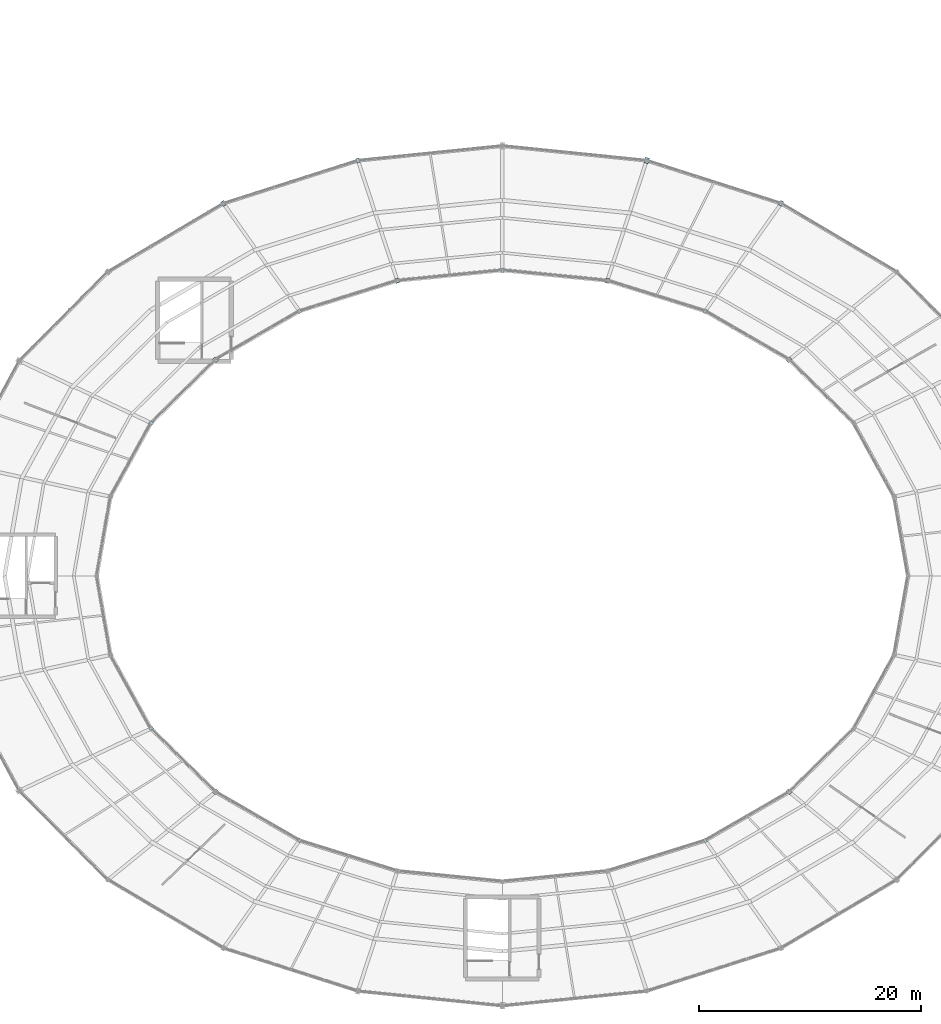
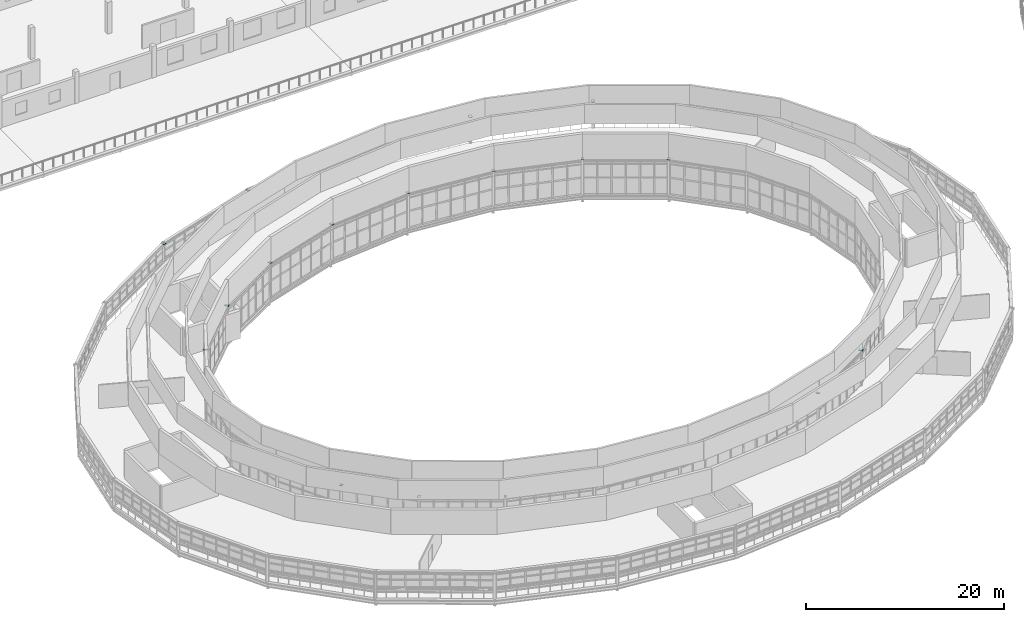
# One storey, part 96 of 123: 17 plates.
"""IFC4 building model written with IfcOpenShell, lengths in metres."""

from ifc_helpers import new_model, si_unit, direction, frame, origin, origin_2d, place, context, subcontext, project, spatial, rectangle, extrude, material, layer, layer_set, type_object, element, save


model = new_model("IFC4")

# Units and contexts
model_context = context("Model", 3, precision=1e-05, world=origin(), true_north=direction((0.0, 1.0)))
body_context = subcontext(model_context, "Body", "Model", "MODEL_VIEW")
ifc_project = project(units=[si_unit("LENGTHUNIT", "METRE"), si_unit("AREAUNIT", "SQUARE_METRE"), si_unit("VOLUMEUNIT", "CUBIC_METRE"), si_unit("PLANEANGLEUNIT", "RADIAN"), si_unit("MASSUNIT", "GRAM", prefix="KILO")], contexts=[model_context])

# Site, building, storey
site_placement = place(None, origin())
site = spatial("IfcSite", under=ifc_project, at=site_placement, CompositionType="ELEMENT")
building_placement = place(site_placement, origin())
building = spatial("IfcBuilding", under=site, at=building_placement, Name="Kildeholm Park Wholesale Market", CompositionType="ELEMENT")
storey_placement = place(building_placement, frame((0.0, 0.0, 9.60009765625)))
storey = spatial("IfcBuildingStorey", under=building, at=storey_placement, Name="L02", CompositionType="ELEMENT", Elevation=9.60009765625)

# Plates
ifc_material = material(Name="Steel S355", Category="steel")
ifc_layer_1 = layer(ifc_material, 0.030029296875)
ifc_layer_set_1 = layer_set([ifc_layer_1], Name="Steel S355")
plate_type_1 = type_object("IfcPlateType", Name="Steel connection plate BP-01 450x320x30", PredefinedType="SHEET", material=ifc_layer_set_1)
for number, where, z_axis, x_axis, name in (
    (1, (124.10009765625, 123.014892578125, 3.205078125), (0.0, 0.0, 1.0), (0.5, 0.866025403784, 0.0), "Arch springing bearing plate MD-05 PLT-0028"),
    (2, (73.89990234375, 123.014892578125, 3.205078125), (0.0, 0.0, 1.0), (-0.5, 0.866025403784, 0.0), "Arch springing bearing plate MD-09 PLT-0049"),
):
    element("IfcPlate", number, at=place(storey_placement, frame(where, z_axis=z_axis, x_axis=x_axis)), inside=storey, type_object=plate_type_1, Name=name, PredefinedType="SHEET", context=body_context, shape_type="SweptSolid", body=[
        extrude(rectangle(XDim=0.449951171875, YDim=0.320068359375, at=origin_2d()), origin(), (0.0, 0.0, 1.0), 0.030029296875),
    ])
ifc_layer_2 = layer(ifc_material, 0.034912109375)
ifc_layer_set_2 = layer_set([ifc_layer_2], Name="Steel S355")
plate_type_2 = type_object("IfcPlateType", Name="Steel connection plate BP-02 520x380x35", PredefinedType="SHEET", material=ifc_layer_set_2)
plate_1_placement = place(storey_placement, frame((111.992919921875, 126.881103515625, 3.20263671875), z_axis=(0.0, 0.0, 1.0), x_axis=(0.258819045103, 0.965925826289, 0.0)))
element("IfcPlate", 3, at=plate_1_placement, inside=storey, type_object=plate_type_2, Name="Arch springing bearing plate MD-06 PLT-0032", PredefinedType="SHEET", context=body_context, shape_type="SweptSolid", body=[
    extrude(rectangle(XDim=0.52001953125, YDim=0.3798828125, at=origin_2d()), origin(), (0.0, 0.0, 1.0), 0.034912109375),
])
ifc_layer_3 = layer(ifc_material, 0.02490234375)
ifc_layer_set_3 = layer_set([ifc_layer_3], Name="Steel S355")
plate_type_3 = type_object("IfcPlateType", Name="Steel connection plate BP-04 400x280x25", PredefinedType="SHEET", material=ifc_layer_set_3)
plate_2_placement = place(storey_placement, frame((86.007080078125, 126.881103515625, 3.20751953125), z_axis=(0.0, 0.0, 1.0), x_axis=(-0.258819045103, 0.965925826289, 0.0)))
element("IfcPlate", 4, at=plate_2_placement, inside=storey, type_object=plate_type_3, Name="Arch springing bearing plate MD-08 PLT-0040", PredefinedType="SHEET", context=body_context, shape_type="SweptSolid", body=[
    extrude(rectangle(XDim=0.39990234375, YDim=0.280029296875, at=origin_2d()), origin(), (0.0, 0.0, 1.0), 0.02490234375),
])
ifc_layer_4 = layer(ifc_material, 0.02001953125)
ifc_layer_set_4 = layer_set([ifc_layer_4], Name="Steel S355")
plate_type_4 = type_object("IfcPlateType", Name="Steel connection plate EP-01 360x260x20", PredefinedType="SHEET", material=ifc_layer_set_4)
for number, where, z_axis, x_axis, name in (
    (5, (117.25, 113.31591796875, 4.349853515625), (0.0, 0.0, 1.0), (0.5, 0.866025403784, 0.0), "Arch springing end plate IN-05 PLT-0029"),
    (6, (99.0, 117.0, 4.349853515625), (0.0, 0.0, 1.0), (0.0, 1.0, 0.0), "Arch springing end plate IN-07 PLT-0037"),
    (7, (80.75, 113.31591796875, 4.349853515625), (0.0, 0.0, 1.0), (-0.5, 0.866025403784, 0.0), "Arch springing end plate IN-09 PLT-0050"),
    (8, (67.389892578125, 103.25, 4.349853515625), (0.0, 0.0, 1.0), (-0.866025403784, 0.5, 0.0), "Arch springing end plate IN-11 PLT-0058"),
    (9, (67.389892578125, 75.75, 4.349853515625), (0.0, 0.0, 1.0), (-0.866025403784, -0.5, 0.0), "Arch springing end plate IN-15 PLT-0079"),
    (10, (80.75, 65.68408203125, 4.349853515625), (0.0, 0.0, 1.0), (-0.5, -0.866025403784, 0.0), "Arch springing end plate IN-17 PLT-0092"),
    (11, (117.25, 65.68408203125, 4.349853515625), (0.0, 0.0, 1.0), (0.5, -0.866025403784, 0.0), "Arch springing end plate IN-21 PLT-0113"),
):
    element("IfcPlate", number, at=place(storey_placement, frame(where, z_axis=z_axis, x_axis=x_axis)), inside=storey, type_object=plate_type_4, Name=name, PredefinedType="SHEET", context=body_context, shape_type="SweptSolid", body=[
        extrude(rectangle(XDim=0.360107421875, YDim=0.260009765625, at=origin_2d()), origin(), (0.0, 0.0, 1.0), 0.02001953125),
    ])
ifc_layer_5 = layer(ifc_material, 0.02197265625)
ifc_layer_set_5 = layer_set([ifc_layer_5], Name="Steel S355")
plate_type_5 = type_object("IfcPlateType", Name="Steel connection plate EP-02 440x320x22", PredefinedType="SHEET", material=ifc_layer_set_5)
for number, where, z_axis, x_axis, name in (
    (12, (124.80908203125, 108.945068359375, 4.348876953125), (0.0, 0.0, 1.0), (0.707106781187, 0.707106781187, 0.0), "Arch springing end plate IN-04 PLT-0020"),
    (13, (108.447021484375, 116.06298828125, 4.348876953125), (0.0, 0.0, 1.0), (0.258819045103, 0.965925826289, 0.0), "Arch springing end plate IN-06 PLT-0033"),
    (14, (89.552978515625, 116.06298828125, 4.348876953125), (0.0, 0.0, 1.0), (-0.258819045103, 0.965925826289, 0.0), "Arch springing end plate IN-08 PLT-0041"),
    (15, (73.19091796875, 108.945068359375, 4.348876953125), (0.0, 0.0, 1.0), (-0.707106781187, 0.707106781187, 0.0), "Arch springing end plate IN-10 PLT-0054"),
    (16, (73.19091796875, 70.054931640625, 4.348876953125), (0.0, 0.0, 1.0), (-0.707106781187, -0.707106781187, 0.0), "Arch springing end plate IN-16 PLT-0083"),
    (17, (124.80908203125, 70.054931640625, 4.348876953125), (0.0, 0.0, 1.0), (0.707106781187, -0.707106781187, 0.0), "Arch springing end plate IN-22 PLT-0117"),
):
    element("IfcPlate", number, at=place(storey_placement, frame(where, z_axis=z_axis, x_axis=x_axis)), inside=storey, type_object=plate_type_5, Name=name, PredefinedType="SHEET", context=body_context, shape_type="SweptSolid", body=[
        extrude(rectangle(XDim=0.43994140625, YDim=0.320068359375, at=origin_2d()), origin(), (0.0, 0.0, 1.0), 0.02197265625),
    ])

save(model, "model.ifc")
